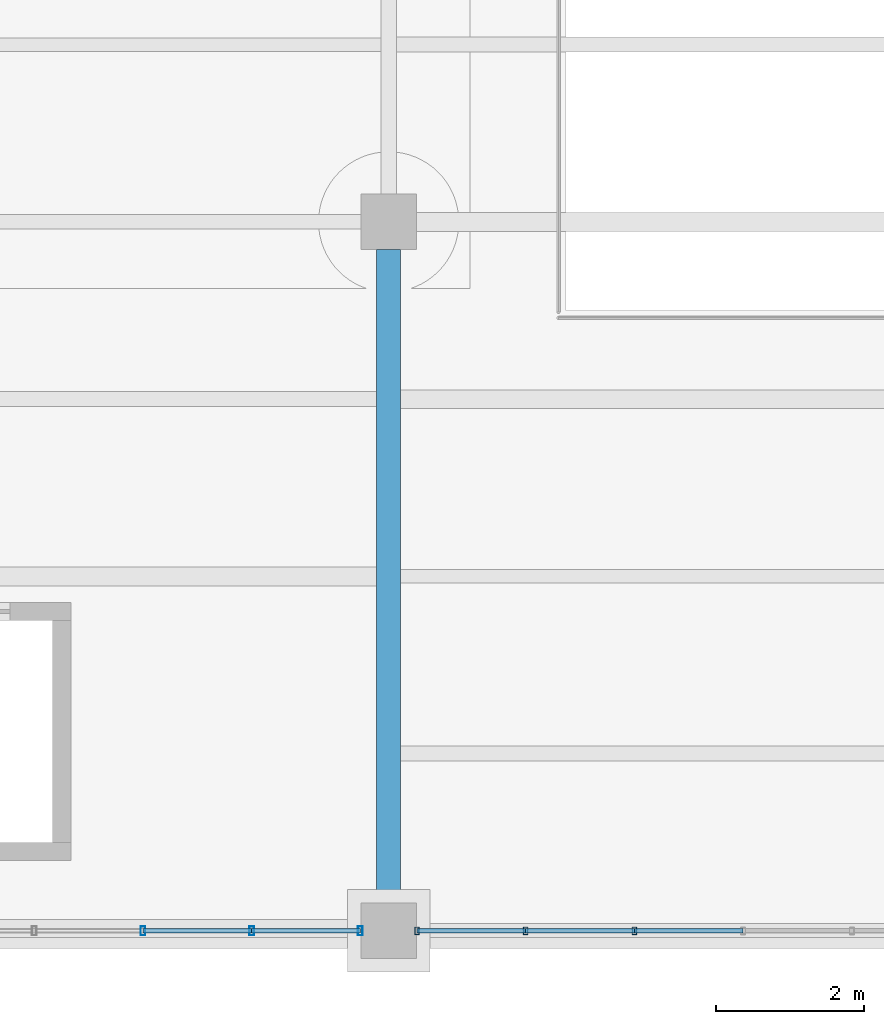
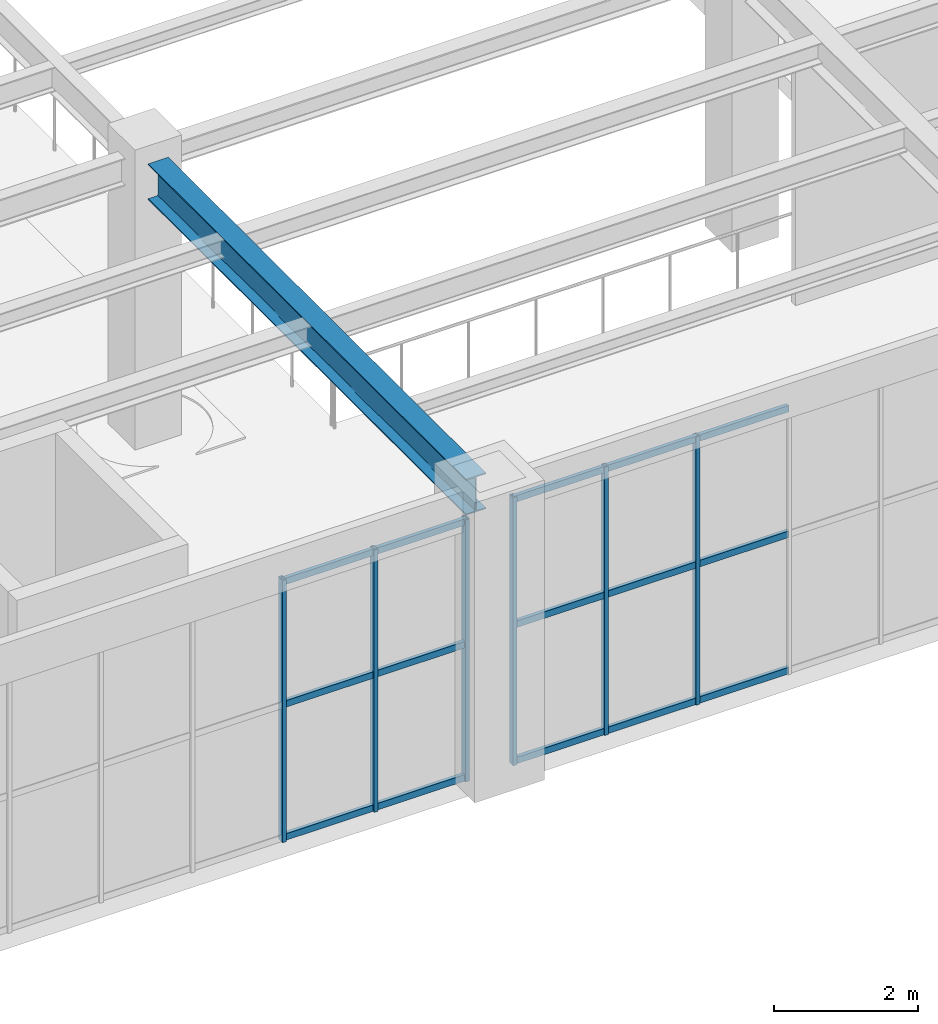
# One storey, part 11 of 174: 21 members, 1 beam, 2 elements without a shape of their own.
"""IFC4 building model written with IfcOpenShell, lengths in metres."""

from ifc_helpers import new_model, si_unit, direction, frame, origin, origin_2d, place, context, subcontext, project, spatial, hollow_rectangle, i_section, extrude, material, material_profile, profile_set, type_object, element, aggregate, save


model = new_model("IFC4")

# Units and contexts
model_context = context("Model", 3, precision=1e-05, world=origin(), true_north=direction((0.0, 1.0)))
body_context = subcontext(model_context, "Body", "Model", "MODEL_VIEW")
ifc_project = project(units=[si_unit("LENGTHUNIT", "METRE"), si_unit("AREAUNIT", "SQUARE_METRE"), si_unit("VOLUMEUNIT", "CUBIC_METRE"), si_unit("PLANEANGLEUNIT", "RADIAN"), si_unit("MASSUNIT", "GRAM", prefix="KILO")], contexts=[model_context])

# Site, building, storey
site_placement = place(None, origin())
site = spatial("IfcSite", under=ifc_project, at=site_placement, CompositionType="ELEMENT")
building_placement = place(site_placement, origin())
building = spatial("IfcBuilding", under=site, at=building_placement, Name="Mavantir Sound Aquarium", CompositionType="ELEMENT")
storey_placement = place(building_placement, frame((0.0, 0.0, 5.39990234375)))
storey = spatial("IfcBuildingStorey", under=building, at=storey_placement, Name="L01", CompositionType="ELEMENT", Elevation=5.39990234375)

# Beam
ifc_material_1 = material(Name="Structural Steel ASTM A992 Gr50", Category="steel")
ifc_material_profile_1 = material_profile(ifc_material_1, i_section(OverallWidth=0.323974609375, OverallDepth=0.611083984375, WebThickness=0.0126953125, FlangeThickness=0.01904296875, FilletRadius=0.01904296875, at=origin_2d()), Name="W610X155")
ifc_profile_set_1 = profile_set([ifc_material_profile_1], Name="Structural Steel ASTM A992 Gr50")
beam_type = type_object("IfcBeamType", Name="BM-W610X155-I", PredefinedType="BEAM", material=ifc_profile_set_1)
beam_placement = place(storey_placement, frame((19.199951171875, 0.375, 4.490478515625), z_axis=(0.0, 1.0, 0.0), x_axis=(-1.0, 0.0, 0.0)))
element("IfcBeam", 1, at=beam_placement, inside=storey, type_object=beam_type, Name="L01 primary girder SB-61A 1228", PredefinedType="BEAM", context=body_context, shape_type="SweptSolid", body=[
    extrude(i_section(OverallWidth=0.323974609375, OverallDepth=0.611083984375, WebThickness=0.0126953125, FlangeThickness=0.01904296875, FilletRadius=0.01904296875, at=origin_2d()), origin(), (0.0, 0.0, 1.0), 8.85009765625),
])

# Curtain wall, members
ifc_material_2 = material(Name="Anodised Marine Aluminium and Low-E Glass", Category="aluminium")
curtain_wall_type_1 = type_object("IfcCurtainWallType", Name="CW-T07", PredefinedType="USERDEFINED", material=ifc_material_2)
curtain_wall_1_placement = place(storey_placement, origin())
curtain_wall_1 = element("IfcCurtainWall", 2, at=curtain_wall_1_placement, inside=storey, type_object=curtain_wall_type_1, Name="L01 unitised curtain wall CW-07 79", ObjectType="UNITISED GLAZING", PredefinedType="USERDEFINED")
ifc_material_3 = material(Name="Anodised Marine Aluminium 6063-T6", Category="aluminium")
ifc_material_profile_2 = material_profile(ifc_material_3, hollow_rectangle(XDim=0.06005859375, YDim=0.10009765625, WallThickness=0.00390625, at=origin_2d()), Name="ALU-MULLION-100X60")
ifc_profile_set_2 = profile_set([ifc_material_profile_2], Name="Anodised Marine Aluminium 6063-T6")
member_type_1 = type_object("IfcMemberType", Name="CW-MUL-100", PredefinedType="MULLION", material=ifc_profile_set_2)
member_1_placement = place(storey_placement, frame((19.5830078125, 0.0, 0.0), z_axis=(0.0, 0.0, 1.0), x_axis=(1.0, 0.0, 0.0)))
member_1 = element("IfcMember", 3, at=member_1_placement, type_object=member_type_1, Name="CW-L01-079 vertical mullion 1", PredefinedType="MULLION", context=body_context, shape_type="SweptSolid", body=[
    extrude(hollow_rectangle(XDim=0.06005859375, YDim=0.10009765625, WallThickness=0.00390625, at=origin_2d()), origin(), (0.0, 0.0, 1.0), 4.56298828125),
])
member_2_placement = place(storey_placement, frame((21.055419921875, 0.0, 0.0), z_axis=(0.0, 0.0, 1.0), x_axis=(1.0, 0.0, 0.0)))
member_2 = element("IfcMember", 4, at=member_2_placement, type_object=member_type_1, Name="CW-L01-079 vertical mullion 2", PredefinedType="MULLION", context=body_context, shape_type="SweptSolid", body=[
    extrude(hollow_rectangle(XDim=0.06005859375, YDim=0.10009765625, WallThickness=0.00390625, at=origin_2d()), origin(), (0.0, 0.0, 1.0), 4.56298828125),
])
member_3_placement = place(storey_placement, frame((22.527587890625, 0.0, 0.0), z_axis=(0.0, 0.0, 1.0), x_axis=(1.0, 0.0, 0.0)))
member_3 = element("IfcMember", 5, at=member_3_placement, type_object=member_type_1, Name="CW-L01-079 vertical mullion 3", PredefinedType="MULLION", context=body_context, shape_type="SweptSolid", body=[
    extrude(hollow_rectangle(XDim=0.06005859375, YDim=0.10009765625, WallThickness=0.00390625, at=origin_2d()), origin(), (0.0, 0.0, 1.0), 4.56298828125),
])

curtain_wall_type_2 = type_object("IfcCurtainWallType", Name="CW-T06", PredefinedType="USERDEFINED", material=ifc_material_2)
curtain_wall_2_placement = place(storey_placement, origin())
curtain_wall_2 = element("IfcCurtainWall", 6, at=curtain_wall_2_placement, inside=storey, type_object=curtain_wall_type_2, Name="L01 unitised curtain wall CW-06 78", ObjectType="UNITISED GLAZING", PredefinedType="USERDEFINED")
ifc_material_profile_3 = material_profile(ifc_material_3, hollow_rectangle(XDim=0.06494140625, YDim=0.1201171875, WallThickness=0.00390625, at=origin_2d()), Name="ALU-MULLION-120X65")
ifc_profile_set_3 = profile_set([ifc_material_profile_3], Name="Anodised Marine Aluminium 6063-T6")
member_type_2 = type_object("IfcMemberType", Name="CW-MUL-120", PredefinedType="MULLION", material=ifc_profile_set_3)
member_4_placement = place(storey_placement, frame((15.872314453125, 0.0, 0.0), z_axis=(0.0, 0.0, 1.0), x_axis=(1.0, 0.0, 0.0)))
member_4 = element("IfcMember", 7, at=member_4_placement, type_object=member_type_2, Name="CW-L01-078 vertical mullion 5", PredefinedType="MULLION", context=body_context, shape_type="SweptSolid", body=[
    extrude(hollow_rectangle(XDim=0.06494140625, YDim=0.1201171875, WallThickness=0.00390625, at=origin_2d()), origin(), (0.0, 0.0, 1.0), 4.4580078125),
])
member_5_placement = place(storey_placement, frame((17.3447265625, 0.0, 0.0), z_axis=(0.0, 0.0, 1.0), x_axis=(1.0, 0.0, 0.0)))
member_5 = element("IfcMember", 8, at=member_5_placement, type_object=member_type_2, Name="CW-L01-078 vertical mullion 6", PredefinedType="MULLION", context=body_context, shape_type="SweptSolid", body=[
    extrude(hollow_rectangle(XDim=0.06494140625, YDim=0.1201171875, WallThickness=0.00390625, at=origin_2d()), origin(), (0.0, 0.0, 1.0), 4.4580078125),
])
member_6_placement = place(storey_placement, frame((18.81689453125, 0.0, 0.0), z_axis=(0.0, 0.0, 1.0), x_axis=(1.0, 0.0, 0.0)))
member_6 = element("IfcMember", 9, at=member_6_placement, type_object=member_type_2, Name="CW-L01-078 vertical mullion 7", PredefinedType="MULLION", context=body_context, shape_type="SweptSolid", body=[
    extrude(hollow_rectangle(XDim=0.06494140625, YDim=0.1201171875, WallThickness=0.00390625, at=origin_2d()), origin(), (0.0, 0.0, 1.0), 4.4580078125),
])
ifc_material_profile_4 = material_profile(ifc_material_3, hollow_rectangle(XDim=0.06005859375, YDim=0.110107421875, WallThickness=0.00390625, at=origin_2d()), Name="ALU-TRANSOM-110X60")
ifc_profile_set_4 = profile_set([ifc_material_profile_4], Name="Anodised Marine Aluminium 6063-T6")
member_type_3 = type_object("IfcMemberType", Name="CW-TRN-110", PredefinedType="USERDEFINED", material=ifc_profile_set_4)
member_7_placement = place(storey_placement, frame((15.872314453125, 0.0, 0.05517578125), z_axis=(1.0, 0.0, 0.0), x_axis=(0.0, 1.0, 0.0)))
member_7 = element("IfcMember", 10, at=member_7_placement, type_object=member_type_3, Name="CW-L01-078 transom 5.1", ObjectType="TRANSOM", PredefinedType="USERDEFINED", context=body_context, shape_type="SweptSolid", body=[
    extrude(hollow_rectangle(XDim=0.06005859375, YDim=0.110107421875, WallThickness=0.00390625, at=origin_2d()), origin(), (0.0, 0.0, 1.0), 1.472412109375),
])
member_8_placement = place(storey_placement, frame((15.872314453125, 0.0, 2.318359375), z_axis=(1.0, 0.0, 0.0), x_axis=(0.0, 1.0, 0.0)))
member_8 = element("IfcMember", 11, at=member_8_placement, type_object=member_type_3, Name="CW-L01-078 transom 5.2", ObjectType="TRANSOM", PredefinedType="USERDEFINED", context=body_context, shape_type="SweptSolid", body=[
    extrude(hollow_rectangle(XDim=0.06005859375, YDim=0.110107421875, WallThickness=0.00390625, at=origin_2d()), origin(), (0.0, 0.0, 1.0), 1.472412109375),
])
member_9_placement = place(storey_placement, frame((15.872314453125, 0.0, 4.403076171875), z_axis=(1.0, 0.0, 0.0), x_axis=(0.0, 1.0, 0.0)))
member_9 = element("IfcMember", 12, at=member_9_placement, type_object=member_type_3, Name="CW-L01-078 transom 5.3", ObjectType="TRANSOM", PredefinedType="USERDEFINED", context=body_context, shape_type="SweptSolid", body=[
    extrude(hollow_rectangle(XDim=0.06005859375, YDim=0.110107421875, WallThickness=0.00390625, at=origin_2d()), origin(), (0.0, 0.0, 1.0), 1.472412109375),
])
member_10_placement = place(storey_placement, frame((17.3447265625, 0.0, 0.05517578125), z_axis=(1.0, 0.0, 0.0), x_axis=(0.0, 1.0, 0.0)))
member_10 = element("IfcMember", 13, at=member_10_placement, type_object=member_type_3, Name="CW-L01-078 transom 6.1", ObjectType="TRANSOM", PredefinedType="USERDEFINED", context=body_context, shape_type="SweptSolid", body=[
    extrude(hollow_rectangle(XDim=0.06005859375, YDim=0.110107421875, WallThickness=0.00390625, at=origin_2d()), origin(), (0.0, 0.0, 1.0), 1.47216796875),
])
member_11_placement = place(storey_placement, frame((17.3447265625, 0.0, 2.318359375), z_axis=(1.0, 0.0, 0.0), x_axis=(0.0, 1.0, 0.0)))
member_11 = element("IfcMember", 14, at=member_11_placement, type_object=member_type_3, Name="CW-L01-078 transom 6.2", ObjectType="TRANSOM", PredefinedType="USERDEFINED", context=body_context, shape_type="SweptSolid", body=[
    extrude(hollow_rectangle(XDim=0.06005859375, YDim=0.110107421875, WallThickness=0.00390625, at=origin_2d()), origin(), (0.0, 0.0, 1.0), 1.47216796875),
])
member_12_placement = place(storey_placement, frame((17.3447265625, 0.0, 4.403076171875), z_axis=(1.0, 0.0, 0.0), x_axis=(0.0, 1.0, 0.0)))
member_12 = element("IfcMember", 15, at=member_12_placement, type_object=member_type_3, Name="CW-L01-078 transom 6.3", ObjectType="TRANSOM", PredefinedType="USERDEFINED", context=body_context, shape_type="SweptSolid", body=[
    extrude(hollow_rectangle(XDim=0.06005859375, YDim=0.110107421875, WallThickness=0.00390625, at=origin_2d()), origin(), (0.0, 0.0, 1.0), 1.47216796875),
])
aggregate(curtain_wall_2, [member_4, member_5, member_6, member_7, member_8, member_9, member_10, member_11, member_12])

# Member
member_13_placement = place(storey_placement, frame((19.5830078125, 0.0, 0.05517578125), z_axis=(1.0, 0.0, 0.0), x_axis=(0.0, 1.0, 0.0)))
member_13 = element("IfcMember", 16, at=member_13_placement, type_object=member_type_3, Name="CW-L01-079 transom 1.1", ObjectType="TRANSOM", PredefinedType="USERDEFINED", context=body_context, shape_type="SweptSolid", body=[
    extrude(hollow_rectangle(XDim=0.06005859375, YDim=0.110107421875, WallThickness=0.00390625, at=origin_2d()), origin(), (0.0, 0.0, 1.0), 1.472412109375),
])

member_14_placement = place(storey_placement, frame((19.5830078125, 0.0, 2.372802734375), z_axis=(1.0, 0.0, 0.0), x_axis=(0.0, 1.0, 0.0)))
member_14 = element("IfcMember", 17, at=member_14_placement, type_object=member_type_3, Name="CW-L01-079 transom 1.2", ObjectType="TRANSOM", PredefinedType="USERDEFINED", context=body_context, shape_type="SweptSolid", body=[
    extrude(hollow_rectangle(XDim=0.06005859375, YDim=0.110107421875, WallThickness=0.00390625, at=origin_2d()), origin(), (0.0, 0.0, 1.0), 1.472412109375),
])

member_15_placement = place(storey_placement, frame((19.5830078125, 0.0, 4.508056640625), z_axis=(1.0, 0.0, 0.0), x_axis=(0.0, 1.0, 0.0)))
member_15 = element("IfcMember", 18, at=member_15_placement, type_object=member_type_3, Name="CW-L01-079 transom 1.3", ObjectType="TRANSOM", PredefinedType="USERDEFINED", context=body_context, shape_type="SweptSolid", body=[
    extrude(hollow_rectangle(XDim=0.06005859375, YDim=0.110107421875, WallThickness=0.00390625, at=origin_2d()), origin(), (0.0, 0.0, 1.0), 1.472412109375),
])

member_16_placement = place(storey_placement, frame((21.055419921875, 0.0, 0.05517578125), z_axis=(1.0, 0.0, 0.0), x_axis=(0.0, 1.0, 0.0)))
member_16 = element("IfcMember", 19, at=member_16_placement, type_object=member_type_3, Name="CW-L01-079 transom 2.1", ObjectType="TRANSOM", PredefinedType="USERDEFINED", context=body_context, shape_type="SweptSolid", body=[
    extrude(hollow_rectangle(XDim=0.06005859375, YDim=0.110107421875, WallThickness=0.00390625, at=origin_2d()), origin(), (0.0, 0.0, 1.0), 1.47216796875),
])

member_17_placement = place(storey_placement, frame((21.055419921875, 0.0, 2.372802734375), z_axis=(1.0, 0.0, 0.0), x_axis=(0.0, 1.0, 0.0)))
member_17 = element("IfcMember", 20, at=member_17_placement, type_object=member_type_3, Name="CW-L01-079 transom 2.2", ObjectType="TRANSOM", PredefinedType="USERDEFINED", context=body_context, shape_type="SweptSolid", body=[
    extrude(hollow_rectangle(XDim=0.06005859375, YDim=0.110107421875, WallThickness=0.00390625, at=origin_2d()), origin(), (0.0, 0.0, 1.0), 1.47216796875),
])

member_18_placement = place(storey_placement, frame((21.055419921875, 0.0, 4.508056640625), z_axis=(1.0, 0.0, 0.0), x_axis=(0.0, 1.0, 0.0)))
member_18 = element("IfcMember", 21, at=member_18_placement, type_object=member_type_3, Name="CW-L01-079 transom 2.3", ObjectType="TRANSOM", PredefinedType="USERDEFINED", context=body_context, shape_type="SweptSolid", body=[
    extrude(hollow_rectangle(XDim=0.06005859375, YDim=0.110107421875, WallThickness=0.00390625, at=origin_2d()), origin(), (0.0, 0.0, 1.0), 1.47216796875),
])

member_19_placement = place(storey_placement, frame((22.527587890625, 0.0, 0.05517578125), z_axis=(1.0, 0.0, 0.0), x_axis=(0.0, 1.0, 0.0)))
member_19 = element("IfcMember", 22, at=member_19_placement, type_object=member_type_3, Name="CW-L01-079 transom 3.1", ObjectType="TRANSOM", PredefinedType="USERDEFINED", context=body_context, shape_type="SweptSolid", body=[
    extrude(hollow_rectangle(XDim=0.06005859375, YDim=0.110107421875, WallThickness=0.00390625, at=origin_2d()), origin(), (0.0, 0.0, 1.0), 1.472412109375),
])

member_20_placement = place(storey_placement, frame((22.527587890625, 0.0, 2.372802734375), z_axis=(1.0, 0.0, 0.0), x_axis=(0.0, 1.0, 0.0)))
member_20 = element("IfcMember", 23, at=member_20_placement, type_object=member_type_3, Name="CW-L01-079 transom 3.2", ObjectType="TRANSOM", PredefinedType="USERDEFINED", context=body_context, shape_type="SweptSolid", body=[
    extrude(hollow_rectangle(XDim=0.06005859375, YDim=0.110107421875, WallThickness=0.00390625, at=origin_2d()), origin(), (0.0, 0.0, 1.0), 1.472412109375),
])

member_21_placement = place(storey_placement, frame((22.527587890625, 0.0, 4.508056640625), z_axis=(1.0, 0.0, 0.0), x_axis=(0.0, 1.0, 0.0)))
member_21 = element("IfcMember", 24, at=member_21_placement, type_object=member_type_3, Name="CW-L01-079 transom 3.3", ObjectType="TRANSOM", PredefinedType="USERDEFINED", context=body_context, shape_type="SweptSolid", body=[
    extrude(hollow_rectangle(XDim=0.06005859375, YDim=0.110107421875, WallThickness=0.00390625, at=origin_2d()), origin(), (0.0, 0.0, 1.0), 1.472412109375),
])

aggregate(curtain_wall_1, [member_1, member_2, member_3, member_13, member_14, member_15, member_16, member_17, member_18, member_19, member_20, member_21])

save(model, "model.ifc")
